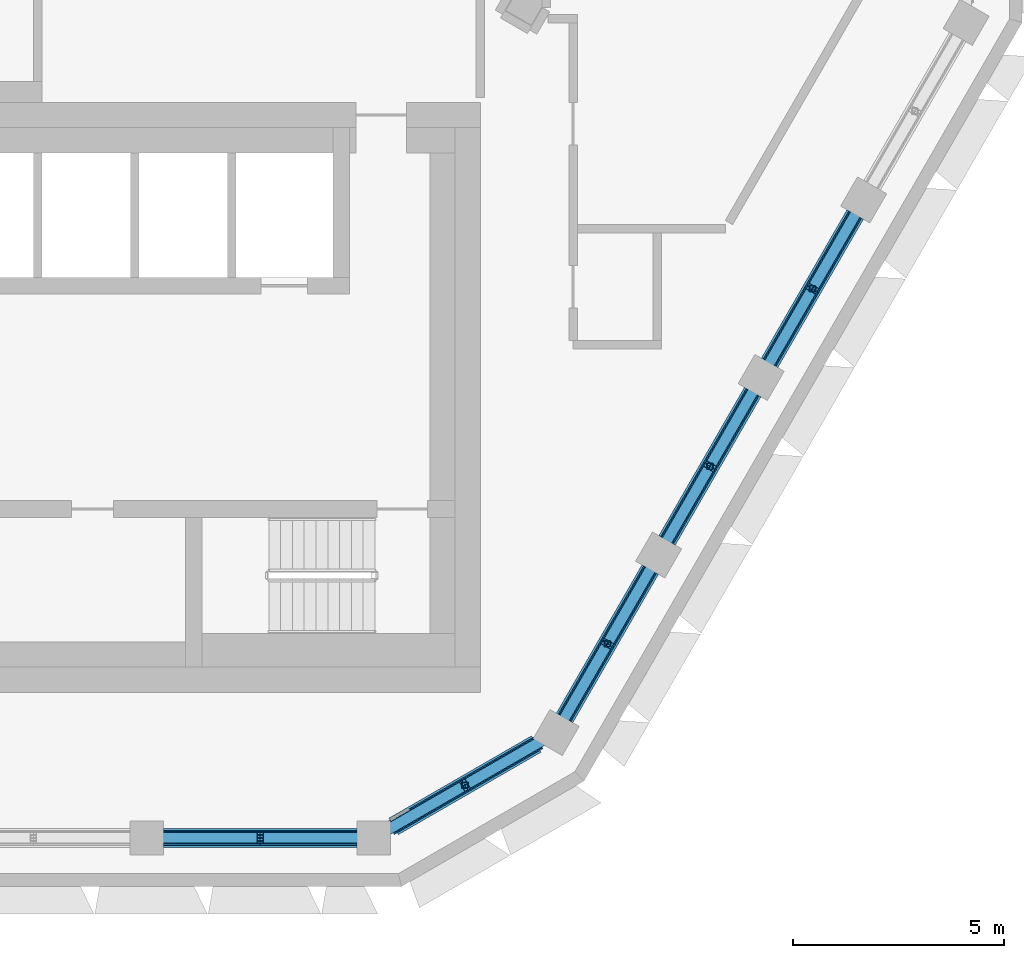
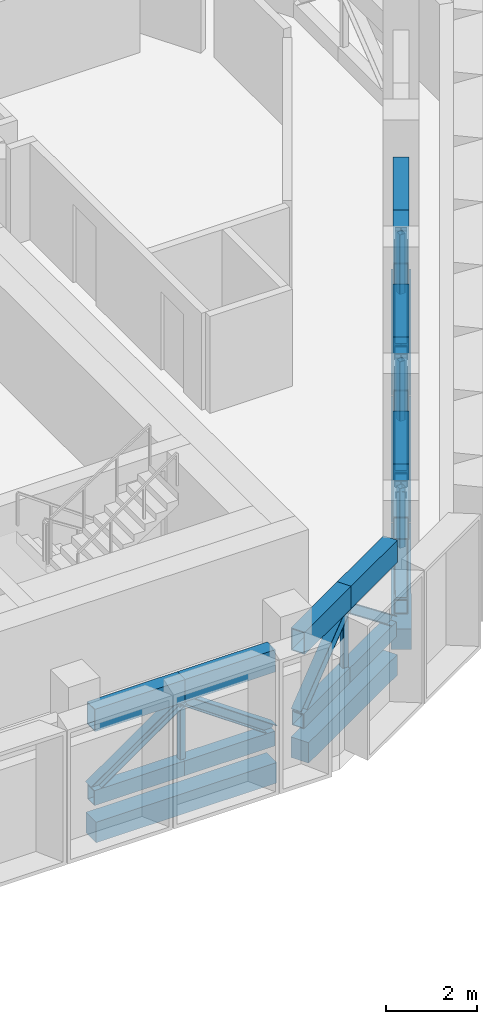
# One storey, part 5 of 24: 35 members, 5 beams.
"""IFC4 building model written with IfcOpenShell, lengths in metres."""

from ifc_helpers import new_model, si_unit, direction, frame, origin, origin_2d, place, context, subcontext, project, spatial, rectangle, hollow_rectangle, i_section, extrude, material, material_profile, profile_set, type_object, element, save


model = new_model("IFC4")

# Units and contexts
model_context = context("Model", 3, precision=1e-05, world=origin(), true_north=direction((0.0, 1.0)))
body_context = subcontext(model_context, "Body", "Model", "MODEL_VIEW")
ifc_project = project(units=[si_unit("LENGTHUNIT", "METRE"), si_unit("AREAUNIT", "SQUARE_METRE"), si_unit("VOLUMEUNIT", "CUBIC_METRE"), si_unit("PLANEANGLEUNIT", "RADIAN"), si_unit("MASSUNIT", "GRAM", prefix="KILO")], contexts=[model_context])

# Site, building, storey
site_placement = place(None, origin())
site = spatial("IfcSite", under=ifc_project, at=site_placement, CompositionType="ELEMENT")
building_placement = place(site_placement, origin())
building = spatial("IfcBuilding", under=site, at=building_placement, Name="Beryl Residences", CompositionType="ELEMENT")
storey_placement = place(building_placement, frame((0.0, 0.0, 199.199951171875)))
storey = spatial("IfcBuildingStorey", under=building, at=storey_placement, Name="L61", CompositionType="ELEMENT", Elevation=199.199951171875)

# Members
ifc_material_1 = material(Name="Steel S355", Category="steel")
ifc_material_profile_1 = material_profile(ifc_material_1, hollow_rectangle(XDim=0.300048828125, YDim=0.39990234375, WallThickness=0.02001953125, at=origin_2d()))
ifc_profile_set_1 = profile_set([ifc_material_profile_1], Name="Steel S355")
member_type_1 = type_object("IfcMemberType", Name="BB4 belt truss bottom chord WB 400x300x20", PredefinedType="CHORD", material=ifc_profile_set_1)
for number, where, z_axis, x_axis, name in (
    (1, (5.784912109375, -22.449951171875, 0.199951171875), (1.0, 0.0, 0.0), (0.0, 1.0, 0.0), "Belt truss BB4-S-3a L61"),
    (2, (8.076904296875, -22.449951171875, 0.199951171875), (1.0, 0.0, 0.0), (0.0, 1.0, 0.0), "Belt truss BB4-S-3b L61"),
):
    element("IfcMember", number, at=place(storey_placement, frame(where, z_axis=z_axis, x_axis=x_axis)), inside=storey, type_object=member_type_1, Name=name, PredefinedType="CHORD", context=body_context, shape_type="SweptSolid", body=[
        extrude(hollow_rectangle(XDim=0.300048828125, YDim=0.39990234375, WallThickness=0.02001953125, at=origin_2d()), origin(), (0.0, 0.0, 1.0), 2.2919921875),
    ])
member_1_placement = place(storey_placement, frame((11.1689453125, -22.218994140625, 0.199951171875), z_axis=(0.865918130601, 0.500185756591, 0.0), x_axis=(-0.500185756591, 0.865918130601, 0.0)))
element("IfcMember", 3, at=member_1_placement, inside=storey, type_object=member_type_1, Name="Belt truss BB4-S-4a L61", PredefinedType="CHORD", context=body_context, shape_type="SweptSolid", body=[
    extrude(hollow_rectangle(XDim=0.300048828125, YDim=0.39990234375, WallThickness=0.02001953125, at=origin_2d()), origin(), (0.0, 0.0, 1.0), 2.037353515625),
])
member_2_placement = place(storey_placement, frame((12.93310546875, -21.199951171875, 0.199951171875), z_axis=(0.866095765711, 0.49987810976, 0.0), x_axis=(-0.49987810976, 0.866095765711, 0.0)))
element("IfcMember", 4, at=member_2_placement, inside=storey, type_object=member_type_1, Name="Belt truss BB4-S-4b L61", PredefinedType="CHORD", context=body_context, shape_type="SweptSolid", body=[
    extrude(hollow_rectangle(XDim=0.300048828125, YDim=0.39990234375, WallThickness=0.02001953125, at=origin_2d()), origin(), (0.0, 0.0, 1.0), 2.03662109375),
])
member_3_placement = place(storey_placement, frame((15.297119140625, -19.60498046875, 0.199951171875), z_axis=(0.499899251727, 0.866083563014, 0.0), x_axis=(-0.866083563014, 0.499899251727, 0.0)))
element("IfcMember", 5, at=member_3_placement, inside=storey, type_object=member_type_1, Name="Belt truss BB4-SE-0a L61", PredefinedType="CHORD", context=body_context, shape_type="SweptSolid", body=[
    extrude(hollow_rectangle(XDim=0.300048828125, YDim=0.39990234375, WallThickness=0.02001953125, at=origin_2d()), origin(), (0.0, 0.0, 1.0), 2.0322265625),
])
member_4_placement = place(storey_placement, frame((16.31298828125, -17.844970703125, 0.199951171875), z_axis=(0.499781360494, 0.866151598569, 0.0), x_axis=(-0.866151598569, 0.499781360494, 0.0)))
element("IfcMember", 6, at=member_4_placement, inside=storey, type_object=member_type_1, Name="Belt truss BB4-SE-0b L61", PredefinedType="CHORD", context=body_context, shape_type="SweptSolid", body=[
    extrude(hollow_rectangle(XDim=0.300048828125, YDim=0.39990234375, WallThickness=0.02001953125, at=origin_2d()), origin(), (0.0, 0.0, 1.0), 2.033203125),
])
for number, where, z_axis, x_axis, name in (
    (7, (17.72900390625, -15.39208984375, 0.199951171875), (0.499989360119, 0.866031546636, 0.0), (-0.866031546636, 0.499989360119, 0.0), "Belt truss BB4-SE-1a L61"),
    (8, (18.7451171875, -13.632080078125, 0.199951171875), (0.499899251727, 0.866083563014, 0.0), (-0.866083563014, 0.499899251727, 0.0), "Belt truss BB4-SE-1b L61"),
    (9, (20.160888671875, -11.179931640625, 0.199951171875), (0.499989360119, 0.866031546636, 0.0), (-0.866031546636, 0.499989360119, 0.0), "Belt truss BB4-SE-2a L61"),
    (10, (21.177001953125, -9.419921875, 0.199951171875), (0.499989360119, 0.866031546636, 0.0), (-0.866031546636, 0.499989360119, 0.0), "Belt truss BB4-SE-2b L61"),
):
    element("IfcMember", number, at=place(storey_placement, frame(where, z_axis=z_axis, x_axis=x_axis)), inside=storey, type_object=member_type_1, Name=name, PredefinedType="CHORD", context=body_context, shape_type="SweptSolid", body=[
        extrude(hollow_rectangle(XDim=0.300048828125, YDim=0.39990234375, WallThickness=0.02001953125, at=origin_2d()), origin(), (0.0, 0.0, 1.0), 2.0322265625),
    ])
ifc_material_2 = material(Name="Steel S355", Category="steel")
ifc_material_profile_2 = material_profile(ifc_material_2, i_section(OverallWidth=0.25390625, OverallDepth=0.25390625, WebThickness=0.008544921875, FlangeThickness=0.01416015625, FilletRadius=0.013916015625, at=origin_2d()))
ifc_profile_set_2 = profile_set([ifc_material_profile_2], Name="Steel S355")
member_type_2 = type_object("IfcMemberType", Name="BD4 belt truss diagonal 250UC73", PredefinedType="BRACE", material=ifc_profile_set_2)
for number, where, z_axis, x_axis, name in (
    (11, (5.784912109375, -22.449951171875, 0.400146484375), (0.81999443742, 0.0, 0.572371490031), (0.0, 1.0, 0.0), "Belt truss BD4-S-3a L61"),
    (12, (10.368896484375, -22.449951171875, 0.400146484375), (-0.81999443742, 0.0, 0.572371490031), (0.0, -1.0, 0.0), "Belt truss BD4-S-3b L61"),
):
    element("IfcMember", number, at=place(storey_placement, frame(where, z_axis=z_axis, x_axis=x_axis)), inside=storey, type_object=member_type_2, Name=name, PredefinedType="BRACE", context=body_context, shape_type="SweptSolid", body=[
        extrude(i_section(OverallWidth=0.25390625, OverallDepth=0.25390625, WebThickness=0.008544921875, FlangeThickness=0.01416015625, FilletRadius=0.013916015625, at=origin_2d()), origin(), (0.0, 0.0, 1.0), 2.795166015625),
    ])
member_5_placement = place(storey_placement, frame((11.1689453125, -22.218994140625, 0.400146484375), z_axis=(0.681034249572, 0.393390113163, 0.617605513071), x_axis=(-0.500185756591, 0.865918130601, 0.0)))
element("IfcMember", 13, at=member_5_placement, inside=storey, type_object=member_type_2, Name="Belt truss BD4-S-4a L61", PredefinedType="BRACE", context=body_context, shape_type="SweptSolid", body=[
    extrude(i_section(OverallWidth=0.25390625, OverallDepth=0.25390625, WebThickness=0.008544921875, FlangeThickness=0.01416015625, FilletRadius=0.013916015625, at=origin_2d()), origin(), (0.0, 0.0, 1.0), 2.59033203125),
])
member_6_placement = place(storey_placement, frame((14.697021484375, -20.181884765625, 0.400146484375), z_axis=(-0.681084689779, -0.393096630641, 0.617736743546), x_axis=(0.49987810976, -0.866095765711, 0.0)))
element("IfcMember", 14, at=member_6_placement, inside=storey, type_object=member_type_2, Name="Belt truss BD4-S-4b L61", PredefinedType="BRACE", context=body_context, shape_type="SweptSolid", body=[
    extrude(i_section(OverallWidth=0.25390625, OverallDepth=0.25390625, WebThickness=0.008544921875, FlangeThickness=0.01416015625, FilletRadius=0.013916015625, at=origin_2d()), origin(), (0.0, 0.0, 1.0), 2.58984375),
])
member_7_placement = place(storey_placement, frame((15.297119140625, -19.60498046875, 0.400146484375), z_axis=(0.392782485057, 0.680502027103, 0.618578136164), x_axis=(-0.866083563014, 0.499899251727, 0.0)))
element("IfcMember", 15, at=member_7_placement, inside=storey, type_object=member_type_2, Name="Belt truss BD4-SE-0a L61", PredefinedType="BRACE", context=body_context, shape_type="SweptSolid", body=[
    extrude(i_section(OverallWidth=0.25390625, OverallDepth=0.25390625, WebThickness=0.008544921875, FlangeThickness=0.01416015625, FilletRadius=0.013916015625, at=origin_2d()), origin(), (0.0, 0.0, 1.0), 2.58642578125),
])
member_8_placement = place(storey_placement, frame((17.3291015625, -16.083984375, 0.400146484375), z_axis=(-0.392761387066, -0.680679453366, 0.618396292514), x_axis=(0.866151598569, -0.499781360494, 0.0)))
element("IfcMember", 16, at=member_8_placement, inside=storey, type_object=member_type_2, Name="Belt truss BD4-SE-0b L61", PredefinedType="BRACE", context=body_context, shape_type="SweptSolid", body=[
    extrude(i_section(OverallWidth=0.25390625, OverallDepth=0.25390625, WebThickness=0.008544921875, FlangeThickness=0.01416015625, FilletRadius=0.013916015625, at=origin_2d()), origin(), (0.0, 0.0, 1.0), 2.587158203125),
])
for number, where, z_axis, x_axis, name in (
    (17, (17.72900390625, -15.39208984375, 0.400146484375), (0.392862313532, 0.68047679439, 0.618555199561), (-0.866031546636, 0.499989360119, 0.0), "Belt truss BD4-SE-1a L61"),
    (18, (19.760986328125, -11.8720703125, 0.400146484375), (-0.392782485057, -0.680502027103, 0.618578136164), (0.866083563014, -0.499899251727, 0.0), "Belt truss BD4-SE-1b L61"),
    (19, (20.160888671875, -11.179931640625, 0.400146484375), (0.392862313532, 0.68047679439, 0.618555199561), (-0.866031546636, 0.499989360119, 0.0), "Belt truss BD4-SE-2a L61"),
    (20, (22.193115234375, -7.659912109375, 0.400146484375), (-0.392862313532, -0.68047679439, 0.618555199561), (0.866031546636, -0.499989360119, 0.0), "Belt truss BD4-SE-2b L61"),
):
    element("IfcMember", number, at=place(storey_placement, frame(where, z_axis=z_axis, x_axis=x_axis)), inside=storey, type_object=member_type_2, Name=name, PredefinedType="BRACE", context=body_context, shape_type="SweptSolid", body=[
        extrude(i_section(OverallWidth=0.25390625, OverallDepth=0.25390625, WebThickness=0.008544921875, FlangeThickness=0.01416015625, FilletRadius=0.013916015625, at=origin_2d()), origin(), (0.0, 0.0, 1.0), 2.58642578125),
    ])
ifc_material_3 = material(Name="Steel S355", Category="steel")
ifc_material_profile_3 = material_profile(ifc_material_3, hollow_rectangle(XDim=0.14990234375, YDim=0.14990234375, WallThickness=0.009033203125, InnerFilletRadius=0.009033203125, OuterFilletRadius=0.01806640625, at=origin_2d()))
ifc_profile_set_3 = profile_set([ifc_material_profile_3], Name="Steel S355")
member_type_3 = type_object("IfcMemberType", Name="BQ4 belt truss post SHS 150x150x9", PredefinedType="POST", material=ifc_profile_set_3)
for number, where, z_axis, x_axis, name in (
    (21, (8.076904296875, -22.449951171875, 0.400146484375), (0.0, 0.0, 1.0), (1.0, 0.0, 0.0), "Belt truss BQ4-S-3 L61"),
    (22, (12.93310546875, -21.199951171875, 0.400146484375), (0.0, 0.0, 1.0), (1.0, 0.0, 0.0), "Belt truss BQ4-S-4 L61"),
    (23, (16.31298828125, -17.844970703125, 0.400146484375), (0.0, 0.0, 1.0), (1.0, 0.0, 0.0), "Belt truss BQ4-SE-0 L61"),
    (24, (18.7451171875, -13.632080078125, 0.400146484375), (0.0, 0.0, 1.0), (1.0, 0.0, 0.0), "Belt truss BQ4-SE-1 L61"),
    (25, (21.177001953125, -9.419921875, 0.400146484375), (0.0, 0.0, 1.0), (1.0, 0.0, 0.0), "Belt truss BQ4-SE-2 L61"),
):
    element("IfcMember", number, at=place(storey_placement, frame(where, z_axis=z_axis, x_axis=x_axis)), inside=storey, type_object=member_type_3, Name=name, PredefinedType="POST", context=body_context, shape_type="SweptSolid", body=[
        extrude(hollow_rectangle(XDim=0.14990234375, YDim=0.14990234375, WallThickness=0.009033203125, InnerFilletRadius=0.009033203125, OuterFilletRadius=0.01806640625, at=origin_2d()), origin(), (0.0, 0.0, 1.0), 1.599853515625),
    ])
ifc_material_4 = material(Name="Steel S355", Category="steel")
ifc_material_profile_4 = material_profile(ifc_material_4, hollow_rectangle(XDim=0.35009765625, YDim=0.60009765625, WallThickness=0.02490234375, at=origin_2d()))
ifc_profile_set_4 = profile_set([ifc_material_profile_4], Name="Steel S355")
member_type_4 = type_object("IfcMemberType", Name="BT4 belt truss top chord WB 600x350x25", PredefinedType="CHORD", material=ifc_profile_set_4)
for number, where, z_axis, x_axis, name in (
    (26, (5.784912109375, -22.449951171875, 2.300048828125), (1.0, 0.0, 0.0), (0.0, 1.0, 0.0), "Belt truss BT4-S-3a L61"),
    (27, (8.076904296875, -22.449951171875, 2.300048828125), (1.0, 0.0, 0.0), (0.0, 1.0, 0.0), "Belt truss BT4-S-3b L61"),
):
    element("IfcMember", number, at=place(storey_placement, frame(where, z_axis=z_axis, x_axis=x_axis)), inside=storey, type_object=member_type_4, Name=name, PredefinedType="CHORD", context=body_context, shape_type="SweptSolid", body=[
        extrude(hollow_rectangle(XDim=0.35009765625, YDim=0.60009765625, WallThickness=0.02490234375, at=origin_2d()), origin(), (0.0, 0.0, 1.0), 2.2919921875),
    ])
member_9_placement = place(storey_placement, frame((11.1689453125, -22.218994140625, 2.300048828125), z_axis=(0.865918130601, 0.500185756591, 0.0), x_axis=(-0.500185756591, 0.865918130601, 0.0)))
element("IfcMember", 28, at=member_9_placement, inside=storey, type_object=member_type_4, Name="Belt truss BT4-S-4a L61", PredefinedType="CHORD", context=body_context, shape_type="SweptSolid", body=[
    extrude(hollow_rectangle(XDim=0.35009765625, YDim=0.60009765625, WallThickness=0.02490234375, at=origin_2d()), origin(), (0.0, 0.0, 1.0), 2.037353515625),
])
member_10_placement = place(storey_placement, frame((12.93310546875, -21.199951171875, 2.300048828125), z_axis=(0.866095765711, 0.49987810976, 0.0), x_axis=(-0.49987810976, 0.866095765711, 0.0)))
element("IfcMember", 29, at=member_10_placement, inside=storey, type_object=member_type_4, Name="Belt truss BT4-S-4b L61", PredefinedType="CHORD", context=body_context, shape_type="SweptSolid", body=[
    extrude(hollow_rectangle(XDim=0.35009765625, YDim=0.60009765625, WallThickness=0.02490234375, at=origin_2d()), origin(), (0.0, 0.0, 1.0), 2.03662109375),
])
member_11_placement = place(storey_placement, frame((15.297119140625, -19.60498046875, 2.300048828125), z_axis=(0.499899251727, 0.866083563014, 0.0), x_axis=(-0.866083563014, 0.499899251727, 0.0)))
element("IfcMember", 30, at=member_11_placement, inside=storey, type_object=member_type_4, Name="Belt truss BT4-SE-0a L61", PredefinedType="CHORD", context=body_context, shape_type="SweptSolid", body=[
    extrude(hollow_rectangle(XDim=0.35009765625, YDim=0.60009765625, WallThickness=0.02490234375, at=origin_2d()), origin(), (0.0, 0.0, 1.0), 2.0322265625),
])
member_12_placement = place(storey_placement, frame((16.31298828125, -17.844970703125, 2.300048828125), z_axis=(0.499781360494, 0.866151598569, 0.0), x_axis=(-0.866151598569, 0.499781360494, 0.0)))
element("IfcMember", 31, at=member_12_placement, inside=storey, type_object=member_type_4, Name="Belt truss BT4-SE-0b L61", PredefinedType="CHORD", context=body_context, shape_type="SweptSolid", body=[
    extrude(hollow_rectangle(XDim=0.35009765625, YDim=0.60009765625, WallThickness=0.02490234375, at=origin_2d()), origin(), (0.0, 0.0, 1.0), 2.033203125),
])
for number, where, z_axis, x_axis, name in (
    (32, (17.72900390625, -15.39208984375, 2.300048828125), (0.499989360119, 0.866031546636, 0.0), (-0.866031546636, 0.499989360119, 0.0), "Belt truss BT4-SE-1a L61"),
    (33, (18.7451171875, -13.632080078125, 2.300048828125), (0.499899251727, 0.866083563014, 0.0), (-0.866083563014, 0.499899251727, 0.0), "Belt truss BT4-SE-1b L61"),
    (34, (20.160888671875, -11.179931640625, 2.300048828125), (0.499989360119, 0.866031546636, 0.0), (-0.866031546636, 0.499989360119, 0.0), "Belt truss BT4-SE-2a L61"),
    (35, (21.177001953125, -9.419921875, 2.300048828125), (0.499989360119, 0.866031546636, 0.0), (-0.866031546636, 0.499989360119, 0.0), "Belt truss BT4-SE-2b L61"),
):
    element("IfcMember", number, at=place(storey_placement, frame(where, z_axis=z_axis, x_axis=x_axis)), inside=storey, type_object=member_type_4, Name=name, PredefinedType="CHORD", context=body_context, shape_type="SweptSolid", body=[
        extrude(hollow_rectangle(XDim=0.35009765625, YDim=0.60009765625, WallThickness=0.02490234375, at=origin_2d()), origin(), (0.0, 0.0, 1.0), 2.0322265625),
    ])

# Beams
ifc_material_5 = material(Name="Concrete C50/60", Category="concrete")
ifc_material_profile_5 = material_profile(ifc_material_5, rectangle(XDim=0.449951171875, YDim=0.550048828125, at=origin_2d()))
ifc_profile_set_5 = profile_set([ifc_material_profile_5], Name="Concrete C50/60")
beam_type = type_object("IfcBeamType", Name="SB4 spandrel beam 450 x 550 C50/60", PredefinedType="SPANDREL", material=ifc_profile_set_5)
beam_1_placement = place(storey_placement, frame((5.784912109375, -22.449951171875, -0.675048828125), z_axis=(1.0, 0.0, 0.0), x_axis=(0.0, 1.0, 0.0)))
element("IfcBeam", 36, at=beam_1_placement, inside=storey, type_object=beam_type, Name="SB4 L61 S-3", PredefinedType="SPANDREL", context=body_context, shape_type="SweptSolid", body=[
    extrude(rectangle(XDim=0.449951171875, YDim=0.550048828125, at=origin_2d()), origin(), (0.0, 0.0, 1.0), 4.583984375),
])
beam_2_placement = place(storey_placement, frame((11.241943359375, -22.177001953125, -0.675048828125), z_axis=(0.865999234303, 0.500045324131, 0.0), x_axis=(-0.500045324131, 0.865999234303, 0.0)))
element("IfcBeam", 37, at=beam_2_placement, inside=storey, type_object=beam_type, Name="SB4 L61 S-4", PredefinedType="SPANDREL", context=body_context, shape_type="SweptSolid", body=[
    extrude(rectangle(XDim=0.449951171875, YDim=0.550048828125, at=origin_2d()), origin(), (0.0, 0.0, 1.0), 3.905517578125),
])
beam_3_placement = place(storey_placement, frame((15.297119140625, -19.60498046875, -0.675048828125), z_axis=(0.499840293234, 0.866117590896, 0.0), x_axis=(-0.866117590896, 0.499840293234, 0.0)))
element("IfcBeam", 38, at=beam_3_placement, inside=storey, type_object=beam_type, Name="SB4 L61 SE-0", PredefinedType="SPANDREL", context=body_context, shape_type="SweptSolid", body=[
    extrude(rectangle(XDim=0.449951171875, YDim=0.550048828125, at=origin_2d()), origin(), (0.0, 0.0, 1.0), 4.065185546875),
])
for number, where, z_axis, x_axis, name in (
    (39, (17.72900390625, -15.39208984375, -0.675048828125), (0.499944307952, 0.866057555216, 0.0), (-0.866057555216, 0.499944307952, 0.0), "SB4 L61 SE-1"),
    (40, (20.160888671875, -11.179931640625, -0.675048828125), (0.499989360119, 0.866031546636, 0.0), (-0.866031546636, 0.499989360119, 0.0), "SB4 L61 SE-2"),
):
    element("IfcBeam", number, at=place(storey_placement, frame(where, z_axis=z_axis, x_axis=x_axis)), inside=storey, type_object=beam_type, Name=name, PredefinedType="SPANDREL", context=body_context, shape_type="SweptSolid", body=[
        extrude(rectangle(XDim=0.449951171875, YDim=0.550048828125, at=origin_2d()), origin(), (0.0, 0.0, 1.0), 4.064453125),
    ])

save(model, "model.ifc")
